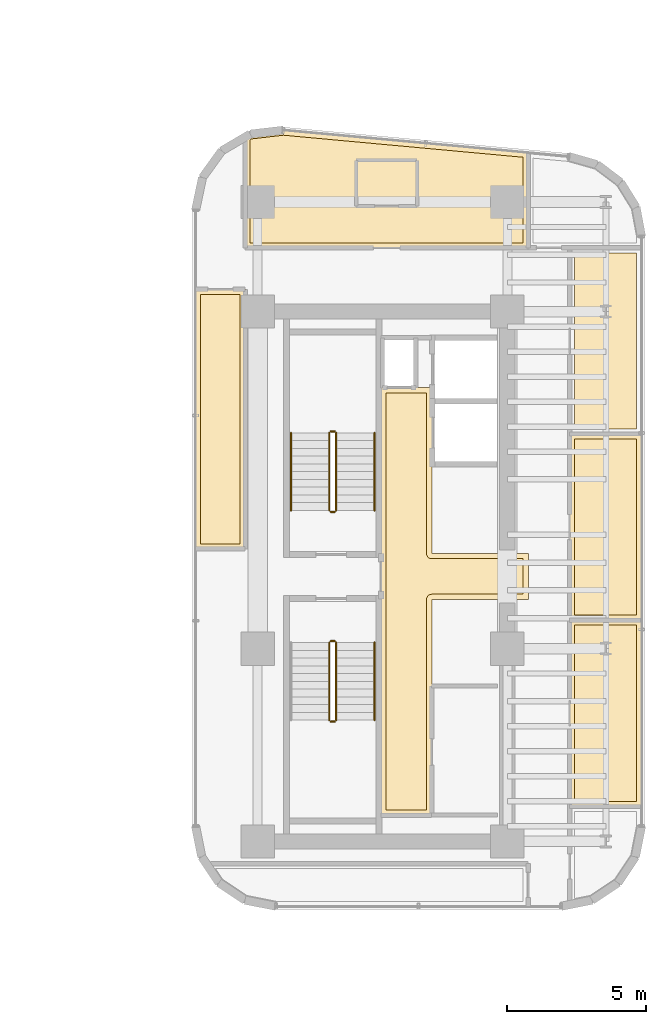
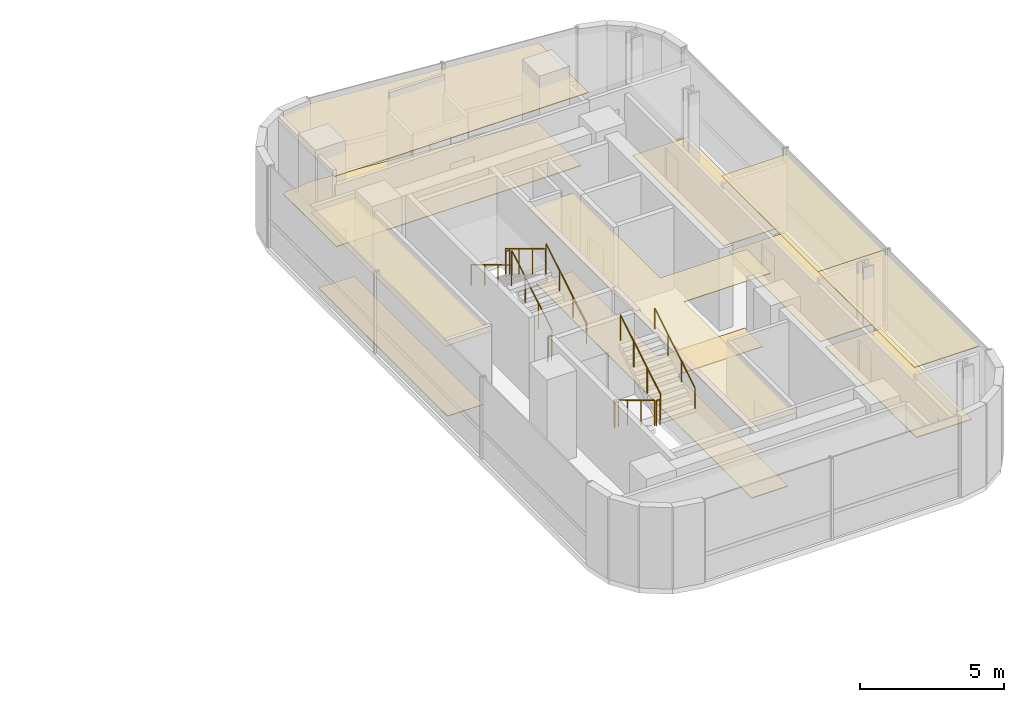
# One storey, part 32 of 33: 11 coverings, 11 railings.
"""IFC4 building model written with IfcOpenShell, lengths in metres."""

from ifc_helpers import new_model, si_unit, direction, frame, origin, origin_2d, place, context, subcontext, project, spatial, polyline, circle, outline, extrude, material, layer, layer_set, type_object, element, save


model = new_model("IFC4")

# Units and contexts
model_context = context("Model", 3, precision=1e-05, world=origin(), true_north=direction((0.0, 1.0)))
body_context = subcontext(model_context, "Body", "Model", "MODEL_VIEW")
ifc_project = project(units=[si_unit("LENGTHUNIT", "METRE"), si_unit("AREAUNIT", "SQUARE_METRE"), si_unit("VOLUMEUNIT", "CUBIC_METRE"), si_unit("PLANEANGLEUNIT", "RADIAN"), si_unit("MASSUNIT", "GRAM", prefix="KILO")], contexts=[model_context])

# Site, building, storey
site_placement = place(None, origin())
site = spatial("IfcSite", under=ifc_project, at=site_placement, CompositionType="ELEMENT")
building_placement = place(site_placement, origin())
building = spatial("IfcBuilding", under=site, at=building_placement, Name="Valdorenza Pilgrim Sanctuary Tower", CompositionType="ELEMENT")
storey_placement = place(building_placement, frame((0.0, 0.0, 157.5)))
storey = spatial("IfcBuildingStorey", under=building, at=storey_placement, Name="L40", CompositionType="ELEMENT", Elevation=157.5)

# Coverings
ifc_material_1 = material(Name="Micro-perforated acoustic mineral ceiling tile", Category="gypsum")
ifc_layer_1 = layer(ifc_material_1, 0.02490234375, Name="Micro-perforated acoustic mineral ceiling tile")
ifc_layer_set_1 = layer_set([ifc_layer_1], Name="Micro-perforated acoustic mineral ceiling tile")
covering_type_1 = type_object("IfcCoveringType", Name="COV-CLG-ACU", PredefinedType="CEILING", material=ifc_layer_set_1)
covering_1_placement = place(storey_placement, frame((0.0, 0.0, 3.159912109375)))
element("IfcCovering", 1, at=covering_1_placement, inside=storey, type_object=covering_type_1, Name="L40 Core B Passenger Lift Lobby Acoustic Ceiling", PredefinedType="CEILING", context=body_context, shape_type="SweptSolid", body=[
    extrude(outline(polyline([(20.287109375, -0.814697265625), (20.287109375, 0.814697265625), (20.28662109375, 0.815185546875), (20.2861328125, 0.81640625), (20.28564453125, 0.81787109375), (20.285400390625, 0.819091796875), (20.28515625, 0.820556640625), (20.284912109375, 0.822021484375), (20.284912109375, 6.800048828125), (20.28515625, 6.801513671875), (20.285400390625, 6.802978515625), (20.28564453125, 6.804443359375), (20.2861328125, 6.8056640625), (20.286865234375, 6.80712890625), (20.28759765625, 6.808349609375), (20.288330078125, 6.8095703125), (20.289306640625, 6.810546875), (20.29052734375, 6.8115234375), (20.291748046875, 6.8125), (20.29296875, 6.813232421875), (20.294189453125, 6.81396484375), (20.295654296875, 6.814453125), (20.297119140625, 6.814697265625), (20.298583984375, 6.81494140625), (20.300048828125, 6.81494140625), (20.347900390625, 6.81494140625), (20.349365234375, 6.81494140625), (20.350830078125, 6.814697265625), (20.352294921875, 6.814453125), (20.353515625, 6.81396484375), (20.35498046875, 6.813232421875), (20.35546875, 6.81298828125), (21.544677734375, 6.81298828125), (21.545166015625, 6.813232421875), (21.54638671875, 6.81396484375), (21.5478515625, 6.814453125), (21.54931640625, 6.814697265625), (21.550537109375, 6.81494140625), (21.552001953125, 6.81494140625), (22.1201171875, 6.81494140625), (22.12158203125, 6.81494140625), (22.122802734375, 6.814697265625), (22.12451171875, 6.814453125), (22.125732421875, 6.81396484375), (22.127197265625, 6.813232421875), (22.12841796875, 6.8125), (22.12939453125, 6.8115234375), (22.130615234375, 6.810546875), (22.131591796875, 6.8095703125), (22.132568359375, 6.808349609375), (22.13330078125, 6.80712890625), (22.1337890625, 6.8056640625), (22.134521484375, 6.804443359375), (22.134765625, 6.802978515625), (22.135009765625, 6.801513671875), (22.135009765625, 6.800048828125), (22.135009765625, 0.8349609375), (25.60009765625, 0.8349609375), (25.6015625, 0.8349609375), (25.602783203125, 0.834716796875), (25.6044921875, 0.83447265625), (25.605712890625, 0.833984375), (25.607177734375, 0.833251953125), (25.6083984375, 0.83251953125), (25.609619140625, 0.83154296875), (25.610595703125, 0.83056640625), (25.611572265625, 0.82958984375), (25.612548828125, 0.828369140625), (25.61328125, 0.8271484375), (25.614013671875, 0.82568359375), (25.614501953125, 0.824462890625), (25.61474609375, 0.822998046875), (25.614990234375, 0.821533203125), (25.614990234375, 0.820068359375), (25.614990234375, -0.820068359375), (25.614990234375, -0.821533203125), (25.61474609375, -0.822998046875), (25.614501953125, -0.824462890625), (25.614013671875, -0.82568359375), (25.61328125, -0.8271484375), (25.612548828125, -0.828369140625), (25.611572265625, -0.82958984375), (25.610595703125, -0.83056640625), (25.609619140625, -0.83154296875), (25.6083984375, -0.83251953125), (25.607177734375, -0.833251953125), (25.605712890625, -0.833984375), (25.6044921875, -0.83447265625), (25.602783203125, -0.834716796875), (25.6015625, -0.8349609375), (25.60009765625, -0.8349609375), (22.135009765625, -0.8349609375), (22.135009765625, -8.60009765625), (22.135009765625, -8.6015625), (22.134765625, -8.602783203125), (22.134521484375, -8.6044921875), (22.1337890625, -8.605712890625), (22.13330078125, -8.607177734375), (22.132568359375, -8.6083984375), (22.131591796875, -8.609619140625), (22.130615234375, -8.610595703125), (22.12939453125, -8.611572265625), (22.12841796875, -8.612548828125), (22.127197265625, -8.61328125), (22.125732421875, -8.614013671875), (22.12451171875, -8.614501953125), (22.122802734375, -8.61474609375), (22.12158203125, -8.614990234375), (22.1201171875, -8.614990234375), (20.300048828125, -8.614990234375), (20.298583984375, -8.614990234375), (20.297119140625, -8.61474609375), (20.295654296875, -8.614501953125), (20.294189453125, -8.614013671875), (20.29296875, -8.61328125), (20.291748046875, -8.612548828125), (20.29052734375, -8.611572265625), (20.289306640625, -8.610595703125), (20.288330078125, -8.609619140625), (20.28759765625, -8.6083984375), (20.286865234375, -8.607177734375), (20.2861328125, -8.605712890625), (20.28564453125, -8.6044921875), (20.285400390625, -8.602783203125), (20.28515625, -8.6015625), (20.284912109375, -8.60009765625), (20.284912109375, -0.822021484375), (20.28515625, -0.820556640625), (20.285400390625, -0.819091796875), (20.28564453125, -0.81787109375), (20.2861328125, -0.81640625), (20.28662109375, -0.815185546875), (20.287109375, -0.814697265625)])), origin(), (0.0, 0.0, 1.0), 0.025146484375),
])
covering_2_placement = place(storey_placement, frame((0.0, 0.0, 3.159912109375)))
element("IfcCovering", 2, at=covering_2_placement, inside=storey, type_object=covering_type_1, Name="L40 East North Guest Room L40-EN1 Acoustic Ceiling", PredefinedType="CEILING", context=body_context, shape_type="SweptSolid", body=[
    extrude(outline(polyline([(15.573486328125, 15.961669921875), (15.574951171875, 15.96240234375), (15.576416015625, 15.962890625), (15.577880859375, 15.96337890625), (15.579345703125, 15.963623046875), (16.7744140625, 16.102783203125), (16.776123046875, 16.10302734375), (16.7763671875, 16.10302734375), (16.777587890625, 16.102783203125), (25.601318359375, 15.291015625), (25.602783203125, 15.290771484375), (25.604248046875, 15.290283203125), (25.605712890625, 15.289794921875), (25.60693359375, 15.289306640625), (25.6083984375, 15.28857421875), (25.609619140625, 15.28759765625), (25.610595703125, 15.28662109375), (25.611572265625, 15.28564453125), (25.612548828125, 15.284423828125), (25.61328125, 15.283203125), (25.61376953125, 15.28173828125), (25.6142578125, 15.280517578125), (25.61474609375, 15.279052734375), (25.614990234375, 15.277587890625), (25.614990234375, 15.276123046875), (25.614990234375, 11.85009765625), (25.614990234375, 11.848388671875), (25.61474609375, 11.84716796875), (25.614501953125, 11.845703125), (25.614013671875, 11.84423828125), (25.61328125, 11.843017578125), (25.612548828125, 11.841796875), (25.611572265625, 11.840576171875), (25.610595703125, 11.83935546875), (25.609619140625, 11.83837890625), (25.6083984375, 11.83740234375), (25.607177734375, 11.8369140625), (25.605712890625, 11.836181640625), (25.6044921875, 11.835693359375), (25.602783203125, 11.835205078125), (25.6015625, 11.835205078125), (25.60009765625, 11.8349609375), (15.39990234375, 11.8349609375), (15.3984375, 11.835205078125), (15.397216796875, 11.835205078125), (15.3955078125, 11.835693359375), (15.394287109375, 11.836181640625), (15.392822265625, 11.8369140625), (15.3916015625, 11.83740234375), (15.390380859375, 11.83837890625), (15.389404296875, 11.83935546875), (15.388427734375, 11.840576171875), (15.387451171875, 11.841796875), (15.38671875, 11.843017578125), (15.385986328125, 11.84423828125), (15.385498046875, 11.845703125), (15.38525390625, 11.84716796875), (15.385009765625, 11.848388671875), (15.385009765625, 11.85009765625), (15.385009765625, 15.84228515625), (15.385009765625, 15.843505859375), (15.38525390625, 15.844970703125), (15.385498046875, 15.846435546875), (15.385986328125, 15.84765625), (15.38671875, 15.84912109375), (15.38720703125, 15.850341796875), (15.38818359375, 15.851318359375), (15.38916015625, 15.8525390625), (15.39013671875, 15.853515625), (15.39111328125, 15.8544921875), (15.392333984375, 15.85498046875), (15.573486328125, 15.961669921875)])), origin(), (0.0, 0.0, 1.0), 0.025146484375),
])
covering_3_placement = place(storey_placement, frame((0.0, 0.0, 3.159912109375)))
element("IfcCovering", 3, at=covering_3_placement, inside=storey, type_object=covering_type_1, Name="L40 East Sanctuary Scholar Office L40-EG2 Acoustic Ceiling", PredefinedType="CEILING", context=body_context, shape_type="SweptSolid", body=[
    extrude(outline(polyline([(27.0849609375, -1.574951171875), (27.085205078125, -1.573486328125), (27.085205078125, -1.572021484375), (27.085693359375, -1.570556640625), (27.086181640625, -1.5693359375), (27.0869140625, -1.56787109375), (27.08740234375, -1.566650390625), (27.08837890625, -1.5654296875), (27.08935546875, -1.564453125), (27.090576171875, -1.5634765625), (27.091796875, -1.5625), (27.093017578125, -1.561767578125), (27.09423828125, -1.56103515625), (27.095703125, -1.560546875), (27.09716796875, -1.560302734375), (27.098388671875, -1.56005859375), (27.10009765625, -1.56005859375), (29.68994140625, -1.56005859375), (29.69140625, -1.56005859375), (29.69287109375, -1.560302734375), (29.6943359375, -1.560546875), (29.69580078125, -1.56103515625), (29.697021484375, -1.561767578125), (29.6982421875, -1.5625), (29.699462890625, -1.5634765625), (29.70068359375, -1.564453125), (29.70166015625, -1.5654296875), (29.702392578125, -1.566650390625), (29.703125, -1.56787109375), (29.703857421875, -1.5693359375), (29.704345703125, -1.570556640625), (29.70458984375, -1.572021484375), (29.704833984375, -1.573486328125), (29.705078125, -1.574951171875), (29.705078125, -8.284912109375), (29.704833984375, -8.28662109375), (29.70458984375, -8.287841796875), (29.704345703125, -8.289306640625), (29.703857421875, -8.290771484375), (29.703125, -8.2919921875), (29.702392578125, -8.293212890625), (29.70166015625, -8.29443359375), (29.70068359375, -8.295654296875), (29.699462890625, -8.296630859375), (29.6982421875, -8.297607421875), (29.697021484375, -8.298095703125), (29.69580078125, -8.298828125), (29.6943359375, -8.29931640625), (29.69287109375, -8.2998046875), (29.69140625, -8.2998046875), (29.68994140625, -8.300048828125), (27.10009765625, -8.300048828125), (27.098388671875, -8.2998046875), (27.09716796875, -8.2998046875), (27.095703125, -8.29931640625), (27.09423828125, -8.298828125), (27.093017578125, -8.298095703125), (27.091796875, -8.297607421875), (27.090576171875, -8.296630859375), (27.08935546875, -8.295654296875), (27.08837890625, -8.29443359375), (27.08740234375, -8.293212890625), (27.0869140625, -8.2919921875), (27.086181640625, -8.290771484375), (27.085693359375, -8.289306640625), (27.085205078125, -8.287841796875), (27.085205078125, -8.28662109375), (27.0849609375, -8.284912109375), (27.0849609375, -1.574951171875)])), origin(), (0.0, 0.0, 1.0), 0.025146484375),
])
covering_4_placement = place(storey_placement, frame((0.0, 0.0, 3.159912109375)))
element("IfcCovering", 4, at=covering_4_placement, inside=storey, type_object=covering_type_1, Name="L40 East Sanctuary Scholar Office L40-EG3 Acoustic Ceiling", PredefinedType="CEILING", context=body_context, shape_type="SweptSolid", body=[
    extrude(outline(polyline([(27.0849609375, 5.137939453125), (27.085205078125, 5.139404296875), (27.085205078125, 5.140869140625), (27.085693359375, 5.142333984375), (27.086181640625, 5.143798828125), (27.0869140625, 5.14501953125), (27.08740234375, 5.146240234375), (27.08837890625, 5.1474609375), (27.08935546875, 5.148681640625), (27.090576171875, 5.149658203125), (27.091796875, 5.150390625), (27.093017578125, 5.151123046875), (27.09423828125, 5.15185546875), (27.095703125, 5.15234375), (27.09716796875, 5.152587890625), (27.098388671875, 5.15283203125), (27.10009765625, 5.153076171875), (29.68994140625, 5.153076171875), (29.69140625, 5.15283203125), (29.69287109375, 5.152587890625), (29.6943359375, 5.15234375), (29.69580078125, 5.15185546875), (29.697021484375, 5.151123046875), (29.6982421875, 5.150390625), (29.699462890625, 5.149658203125), (29.70068359375, 5.148681640625), (29.70166015625, 5.1474609375), (29.702392578125, 5.146240234375), (29.703125, 5.14501953125), (29.703857421875, 5.143798828125), (29.704345703125, 5.142333984375), (29.70458984375, 5.140869140625), (29.704833984375, 5.139404296875), (29.705078125, 5.137939453125), (29.705078125, -1.572998046875), (29.704833984375, -1.574462890625), (29.70458984375, -1.575927734375), (29.704345703125, -1.577392578125), (29.703857421875, -1.57861328125), (29.703125, -1.580078125), (29.702392578125, -1.581298828125), (29.70166015625, -1.58251953125), (29.70068359375, -1.58349609375), (29.699462890625, -1.584716796875), (29.6982421875, -1.58544921875), (29.697021484375, -1.586181640625), (29.69580078125, -1.5869140625), (29.6943359375, -1.58740234375), (29.69287109375, -1.587646484375), (29.69140625, -1.587890625), (29.68994140625, -1.587890625), (27.10009765625, -1.587890625), (27.098388671875, -1.587890625), (27.09716796875, -1.587646484375), (27.095703125, -1.58740234375), (27.09423828125, -1.5869140625), (27.093017578125, -1.586181640625), (27.091796875, -1.58544921875), (27.090576171875, -1.584716796875), (27.08935546875, -1.58349609375), (27.08837890625, -1.58251953125), (27.08740234375, -1.581298828125), (27.0869140625, -1.580078125), (27.086181640625, -1.57861328125), (27.085693359375, -1.577392578125), (27.085205078125, -1.575927734375), (27.085205078125, -1.574462890625), (27.0849609375, -1.572998046875), (27.0849609375, 5.137939453125)])), origin(), (0.0, 0.0, 1.0), 0.025146484375),
])
covering_5_placement = place(storey_placement, frame((0.0, 0.0, 3.159912109375)))
element("IfcCovering", 5, at=covering_5_placement, inside=storey, type_object=covering_type_1, Name="L40 Courtyard Overlook Salon L40 Acoustic Ceiling", PredefinedType="CEILING", context=body_context, shape_type="SweptSolid", body=[
    extrude(outline(polyline([(15.4150390625, 1.0), (15.414794921875, 0.99853515625), (15.414794921875, 0.9970703125), (15.414306640625, 0.99560546875), (15.413818359375, 0.994384765625), (15.4130859375, 0.992919921875), (15.41259765625, 0.99169921875), (15.41162109375, 0.990478515625), (15.41064453125, 0.989501953125), (15.409423828125, 0.98828125), (15.408203125, 0.987548828125), (15.406982421875, 0.98681640625), (15.40576171875, 0.986083984375), (15.404296875, 0.985595703125), (15.40283203125, 0.9853515625), (15.401611328125, 0.985107421875), (15.39990234375, 0.985107421875), (13.610107421875, 0.985107421875), (13.6083984375, 0.985107421875), (13.607177734375, 0.9853515625), (13.605712890625, 0.985595703125), (13.604248046875, 0.986083984375), (13.602783203125, 0.98681640625), (13.601806640625, 0.987548828125), (13.6005859375, 0.98828125), (13.599365234375, 0.989501953125), (13.598388671875, 0.990478515625), (13.597412109375, 0.99169921875), (13.5966796875, 0.992919921875), (13.59619140625, 0.994384765625), (13.595703125, 0.99560546875), (13.59521484375, 0.9970703125), (13.59521484375, 0.99853515625), (13.594970703125, 1.0), (13.594970703125, 10.35009765625), (13.59521484375, 10.3515625), (13.59521484375, 10.352783203125), (13.595703125, 10.3544921875), (13.59619140625, 10.355712890625), (13.5966796875, 10.357177734375), (13.597412109375, 10.3583984375), (13.598388671875, 10.359619140625), (13.599365234375, 10.360595703125), (13.6005859375, 10.361572265625), (13.601806640625, 10.362548828125), (13.602783203125, 10.36328125), (13.604248046875, 10.364013671875), (13.605712890625, 10.364501953125), (13.607177734375, 10.36474609375), (13.6083984375, 10.364990234375), (13.610107421875, 10.364990234375), (15.39990234375, 10.364990234375), (15.401611328125, 10.364990234375), (15.40283203125, 10.36474609375), (15.404296875, 10.364501953125), (15.40576171875, 10.364013671875), (15.406982421875, 10.36328125), (15.408203125, 10.362548828125), (15.409423828125, 10.361572265625), (15.41064453125, 10.360595703125), (15.41162109375, 10.359619140625), (15.41259765625, 10.3583984375), (15.4130859375, 10.357177734375), (15.413818359375, 10.355712890625), (15.414306640625, 10.3544921875), (15.414794921875, 10.352783203125), (15.414794921875, 10.3515625), (15.4150390625, 10.35009765625), (15.4150390625, 1.0)])), origin(), (0.0, 0.0, 1.0), 0.025146484375),
])
ifc_material_2 = material(Name="Engineered European oak timber flooring", Category="wood")
ifc_layer_2 = layer(ifc_material_2, 0.02197265625, Name="Engineered European oak timber flooring")
ifc_layer_set_2 = layer_set([ifc_layer_2], Name="Engineered European oak timber flooring")
covering_type_2 = type_object("IfcCoveringType", Name="COV-FLR-OAK", PredefinedType="FLOORING", material=ifc_layer_set_2)
covering_6_placement = place(storey_placement, origin())
element("IfcCovering", 6, at=covering_6_placement, inside=storey, type_object=covering_type_2, Name="L40 East North Guest Room L40-EN1 Flooring", PredefinedType="FLOORING", context=body_context, shape_type="SweptSolid", body=[
    extrude(outline(polyline([(15.6396484375, 15.7744140625), (16.7783203125, 15.906982421875), (25.419921875, 15.11181640625), (25.419921875, 12.030029296875), (15.580078125, 12.030029296875), (15.580078125, 15.7392578125), (15.6396484375, 15.7744140625)])), origin(), (0.0, 0.0, 1.0), 0.02490234375),
])
ifc_material_3 = material(Name="Honed travertine stone flooring", Category="masonry")
ifc_layer_3 = layer(ifc_material_3, 0.030029296875, Name="Honed travertine stone flooring")
ifc_layer_set_3 = layer_set([ifc_layer_3], Name="Honed travertine stone flooring")
covering_type_3 = type_object("IfcCoveringType", Name="COV-FLR-TRV", PredefinedType="FLOORING", material=ifc_layer_set_3)
covering_7_placement = place(storey_placement, origin())
element("IfcCovering", 7, at=covering_7_placement, inside=storey, type_object=covering_type_3, Name="L40 Core B Passenger Lift Lobby Flooring", PredefinedType="FLOORING", context=body_context, shape_type="SweptSolid", body=[
    extrude(outline(polyline([(20.47998046875, 6.617919921875), (21.550048828125, 6.617919921875), (21.550537109375, 6.617919921875), (21.93994140625, 6.619384765625), (21.93994140625, 0.820068359375), (21.94091796875, 0.802490234375), (21.943603515625, 0.784912109375), (21.94775390625, 0.767578125), (21.95361328125, 0.751220703125), (21.961181640625, 0.735107421875), (21.97021484375, 0.719970703125), (21.98095703125, 0.705810546875), (21.99267578125, 0.692626953125), (22.005859375, 0.680908203125), (22.02001953125, 0.67041015625), (22.03515625, 0.661376953125), (22.051025390625, 0.65380859375), (22.067626953125, 0.647705078125), (22.0849609375, 0.6435546875), (22.102294921875, 0.640869140625), (22.1201171875, 0.639892578125), (25.419921875, 0.639892578125), (25.419921875, -0.639892578125), (22.1201171875, -0.639892578125), (22.102294921875, -0.640869140625), (22.0849609375, -0.6435546875), (22.067626953125, -0.647705078125), (22.051025390625, -0.65380859375), (22.03515625, -0.661376953125), (22.02001953125, -0.67041015625), (22.005859375, -0.680908203125), (21.99267578125, -0.692626953125), (21.98095703125, -0.705810546875), (21.97021484375, -0.719970703125), (21.961181640625, -0.735107421875), (21.95361328125, -0.751220703125), (21.94775390625, -0.767578125), (21.943603515625, -0.784912109375), (21.94091796875, -0.802490234375), (21.93994140625, -0.820068359375), (21.93994140625, -8.419921875), (20.47998046875, -8.419921875), (20.47998046875, -0.846923828125), (20.47998046875, -0.8466796875), (20.47998046875, -0.8466796875), (20.481689453125, -0.8291015625), (20.481689453125, -0.828857421875), (20.48193359375, -0.820068359375), (20.48193359375, 0.820068359375), (20.47998046875, 6.617919921875)])), origin(), (0.0, 0.0, 1.0), 0.02490234375),
])
covering_8_placement = place(storey_placement, origin())
element("IfcCovering", 8, at=covering_8_placement, inside=storey, type_object=covering_type_3, Name="L40 East Sanctuary Scholar Office L40-EG2 Flooring", PredefinedType="FLOORING", context=body_context, shape_type="SweptSolid", body=[
    extrude(outline(polyline([(27.280029296875, -1.7548828125), (29.510009765625, -1.7548828125), (29.510009765625, -8.10498046875), (27.280029296875, -8.10498046875), (27.280029296875, -1.7548828125)])), origin(), (0.0, 0.0, 1.0), 0.02490234375),
])
covering_9_placement = place(storey_placement, origin())
element("IfcCovering", 9, at=covering_9_placement, inside=storey, type_object=covering_type_3, Name="L40 East Sanctuary Scholar Office L40-EG3 Flooring", PredefinedType="FLOORING", context=body_context, shape_type="SweptSolid", body=[
    extrude(outline(polyline([(27.280029296875, 4.9580078125), (29.510009765625, 4.9580078125), (29.510009765625, -1.39306640625), (27.280029296875, -1.39306640625), (27.280029296875, 4.9580078125)])), origin(), (0.0, 0.0, 1.0), 0.02490234375),
])
covering_10_placement = place(storey_placement, origin())
element("IfcCovering", 10, at=covering_10_placement, inside=storey, type_object=covering_type_3, Name="L40 East Sanctuary Scholar Office L40-EG4 Flooring", PredefinedType="FLOORING", context=body_context, shape_type="SweptSolid", body=[
    extrude(outline(polyline([(27.280029296875, 11.66796875), (29.510009765625, 11.66796875), (29.510009765625, 5.320068359375), (27.280029296875, 5.320068359375), (27.280029296875, 11.66796875)])), origin(), (0.0, 0.0, 1.0), 0.02490234375),
])
covering_11_placement = place(storey_placement, origin())
element("IfcCovering", 11, at=covering_11_placement, inside=storey, type_object=covering_type_3, Name="L40 Courtyard Overlook Salon L40 Flooring", PredefinedType="FLOORING", context=body_context, shape_type="SweptSolid", body=[
    extrude(outline(polyline([(15.219970703125, 1.179931640625), (13.7900390625, 1.179931640625), (13.7900390625, 10.169921875), (15.219970703125, 10.169921875), (15.219970703125, 1.179931640625)])), origin(), (0.0, 0.0, 1.0), 0.02490234375),
])

# Railings
ifc_material_4 = material(Name="Stainless steel Grade 316", Category="steel")
railing_type_1 = type_object("IfcRailingType", Name="RLG-GRD-1120", PredefinedType="GUARDRAIL", material=ifc_material_4)
railing_1_placement = place(storey_placement, frame((18.679931640625, 2.3798828125, 0.168212890625)))
element("IfcRailing", 12, at=railing_1_placement, inside=storey, type_object=railing_type_1, Name="L40 ST-B1 stair guard 1", PredefinedType="GUARDRAIL", context=body_context, shape_type="SweptSolid", body=[
    extrude(circle(Radius=0.02392578125, at=origin_2d()), frame((0.0, 0.0, 1.076171875), z_axis=(0.0, 0.857242210791, 0.514913383045), x_axis=(-1.0, 0.0, 0.0)), (0.0, 0.0, 1.0), 3.266357421875),
    extrude(circle(Radius=0.02099609375, at=origin_2d()), origin(), (0.0, 0.0, 1.0), 1.052001953125),
    extrude(circle(Radius=0.02099609375, at=origin_2d()), frame((0.0, 0.933349609375, 0.560546875)), (0.0, 0.0, 1.0), 1.052001953125),
    extrude(circle(Radius=0.02099609375, at=origin_2d()), frame((0.0, 1.86669921875, 1.121337890625)), (0.0, 0.0, 1.0), 1.052001953125),
    extrude(circle(Radius=0.02099609375, at=origin_2d()), frame((0.0, 2.800048828125, 1.681884765625)), (0.0, 0.0, 1.0), 1.052001953125),
])
railing_2_placement = place(storey_placement, frame((18.6298828125, 5.22998046875, 1.85009765625)))
element("IfcRailing", 13, at=railing_2_placement, inside=storey, type_object=railing_type_1, Name="L40 ST-B1 stair guard 2", PredefinedType="GUARDRAIL", context=body_context, shape_type="SweptSolid", body=[
    extrude(circle(Radius=0.02392578125, at=origin_2d()), frame((0.0, 0.0, 1.076171875), z_axis=(-1.0, 0.0, 0.0), x_axis=(0.0, -1.0, 0.0)), (0.0, 0.0, 1.0), 0.14990234375),
    extrude(circle(Radius=0.02099609375, at=origin_2d()), origin(), (0.0, 0.0, 1.0), 1.052001953125),
    extrude(circle(Radius=0.02099609375, at=origin_2d()), frame((-0.14990234375, 0.0, 0.0)), (0.0, 0.0, 1.0), 1.052001953125),
])
railing_3_placement = place(storey_placement, frame((18.429931640625, 5.179931640625, 2.01806640625)))
element("IfcRailing", 14, at=railing_3_placement, inside=storey, type_object=railing_type_1, Name="L40 ST-B1 stair guard 3", PredefinedType="GUARDRAIL", context=body_context, shape_type="SweptSolid", body=[
    extrude(circle(Radius=0.02392578125, at=origin_2d()), frame((0.0, 0.0, 1.076171875), z_axis=(0.0, -0.857242210791, 0.514913383045), x_axis=(1.0, 0.0, 0.0)), (0.0, 0.0, 1.0), 3.266357421875),
    extrude(circle(Radius=0.02099609375, at=origin_2d()), origin(), (0.0, 0.0, 1.0), 1.052001953125),
    extrude(circle(Radius=0.02099609375, at=origin_2d()), frame((0.0, -0.933349609375, 0.560546875)), (0.0, 0.0, 1.0), 1.052001953125),
    extrude(circle(Radius=0.02099609375, at=origin_2d()), frame((0.0, -1.86669921875, 1.121337890625)), (0.0, 0.0, 1.0), 1.052001953125),
    extrude(circle(Radius=0.02099609375, at=origin_2d()), frame((0.0, -2.800048828125, 1.681884765625)), (0.0, 0.0, 1.0), 1.052001953125),
])
railing_4_placement = place(storey_placement, frame((18.6298828125, 2.330078125, 0.0)))
element("IfcRailing", 15, at=railing_4_placement, inside=storey, type_object=railing_type_1, Name="L40 ST-B1 stair guard 4", PredefinedType="GUARDRAIL", context=body_context, shape_type="SweptSolid", body=[
    extrude(circle(Radius=0.02392578125, at=origin_2d()), frame((0.0, 0.0, 1.076171875), z_axis=(-1.0, 0.0, 0.0), x_axis=(0.0, -1.0, 0.0)), (0.0, 0.0, 1.0), 0.14990234375),
    extrude(circle(Radius=0.02099609375, at=origin_2d()), origin(), (0.0, 0.0, 1.0), 1.052001953125),
    extrude(circle(Radius=0.02099609375, at=origin_2d()), frame((-0.14990234375, 0.0, 0.0)), (0.0, 0.0, 1.0), 1.052001953125),
])
railing_5_placement = place(storey_placement, frame((18.429931640625, -2.3798828125, 0.168212890625)))
element("IfcRailing", 16, at=railing_5_placement, inside=storey, type_object=railing_type_1, Name="L40 ST-B2 stair guard 1", PredefinedType="GUARDRAIL", context=body_context, shape_type="SweptSolid", body=[
    extrude(circle(Radius=0.02392578125, at=origin_2d()), frame((0.0, 0.0, 1.076171875), z_axis=(0.0, -0.857242210791, 0.514913383045), x_axis=(1.0, 0.0, 0.0)), (0.0, 0.0, 1.0), 3.266357421875),
    extrude(circle(Radius=0.02099609375, at=origin_2d()), origin(), (0.0, 0.0, 1.0), 1.052001953125),
    extrude(circle(Radius=0.02099609375, at=origin_2d()), frame((0.0, -0.933349609375, 0.560546875)), (0.0, 0.0, 1.0), 1.052001953125),
    extrude(circle(Radius=0.02099609375, at=origin_2d()), frame((0.0, -1.86669921875, 1.121337890625)), (0.0, 0.0, 1.0), 1.052001953125),
    extrude(circle(Radius=0.02099609375, at=origin_2d()), frame((0.0, -2.800048828125, 1.681884765625)), (0.0, 0.0, 1.0), 1.052001953125),
])
railing_6_placement = place(storey_placement, frame((18.47998046875, -5.22998046875, 1.85009765625)))
element("IfcRailing", 17, at=railing_6_placement, inside=storey, type_object=railing_type_1, Name="L40 ST-B2 stair guard 2", PredefinedType="GUARDRAIL", context=body_context, shape_type="SweptSolid", body=[
    extrude(circle(Radius=0.02392578125, at=origin_2d()), frame((0.0, 0.0, 1.076171875), z_axis=(1.0, 0.0, 0.0), x_axis=(0.0, 1.0, 0.0)), (0.0, 0.0, 1.0), 0.14990234375),
    extrude(circle(Radius=0.02099609375, at=origin_2d()), origin(), (0.0, 0.0, 1.0), 1.052001953125),
    extrude(circle(Radius=0.02099609375, at=origin_2d()), frame((0.14990234375, 0.0, 0.0)), (0.0, 0.0, 1.0), 1.052001953125),
])
railing_7_placement = place(storey_placement, frame((18.679931640625, -5.179931640625, 2.01806640625)))
element("IfcRailing", 18, at=railing_7_placement, inside=storey, type_object=railing_type_1, Name="L40 ST-B2 stair guard 3", PredefinedType="GUARDRAIL", context=body_context, shape_type="SweptSolid", body=[
    extrude(circle(Radius=0.02392578125, at=origin_2d()), frame((0.0, 0.0, 1.076171875), z_axis=(0.0, 0.857242210791, 0.514913383045), x_axis=(-1.0, 0.0, 0.0)), (0.0, 0.0, 1.0), 3.266357421875),
    extrude(circle(Radius=0.02099609375, at=origin_2d()), origin(), (0.0, 0.0, 1.0), 1.052001953125),
    extrude(circle(Radius=0.02099609375, at=origin_2d()), frame((0.0, 0.933349609375, 0.560546875)), (0.0, 0.0, 1.0), 1.052001953125),
    extrude(circle(Radius=0.02099609375, at=origin_2d()), frame((0.0, 1.86669921875, 1.121337890625)), (0.0, 0.0, 1.0), 1.052001953125),
    extrude(circle(Radius=0.02099609375, at=origin_2d()), frame((0.0, 2.800048828125, 1.681884765625)), (0.0, 0.0, 1.0), 1.052001953125),
])
railing_8_placement = place(storey_placement, frame((18.47998046875, -2.330078125, 0.0)))
element("IfcRailing", 19, at=railing_8_placement, inside=storey, type_object=railing_type_1, Name="L40 ST-B2 stair guard 4", PredefinedType="GUARDRAIL", context=body_context, shape_type="SweptSolid", body=[
    extrude(circle(Radius=0.02392578125, at=origin_2d()), frame((0.0, 0.0, 1.076171875), z_axis=(1.0, 0.0, 0.0), x_axis=(0.0, 1.0, 0.0)), (0.0, 0.0, 1.0), 0.14990234375),
    extrude(circle(Radius=0.02099609375, at=origin_2d()), origin(), (0.0, 0.0, 1.0), 1.052001953125),
    extrude(circle(Radius=0.02099609375, at=origin_2d()), frame((0.14990234375, 0.0, 0.0)), (0.0, 0.0, 1.0), 1.052001953125),
])
ifc_material_5 = material(Name="Brushed stainless steel Grade 316", Category="steel")
railing_type_2 = type_object("IfcRailingType", Name="RLG-HND-920", PredefinedType="HANDRAIL", material=ifc_material_5)
railing_9_placement = place(storey_placement, frame((20.06005859375, 2.3798828125, 0.168212890625)))
element("IfcRailing", 20, at=railing_9_placement, inside=storey, type_object=railing_type_2, Name="L40 ST-B1 stair handrail 1", PredefinedType="HANDRAIL", context=body_context, shape_type="SweptSolid", body=[
    extrude(circle(Radius=0.02392578125, at=origin_2d()), frame((0.0, 0.0, 0.8759765625), z_axis=(0.0, 0.857242210791, 0.514913383045), x_axis=(-1.0, 0.0, 0.0)), (0.0, 0.0, 1.0), 3.266357421875),
    extrude(circle(Radius=0.02099609375, at=origin_2d()), origin(), (0.0, 0.0, 1.0), 0.851806640625),
    extrude(circle(Radius=0.02099609375, at=origin_2d()), frame((0.0, 0.933349609375, 0.560546875)), (0.0, 0.0, 1.0), 0.851806640625),
    extrude(circle(Radius=0.02099609375, at=origin_2d()), frame((0.0, 1.86669921875, 1.121337890625)), (0.0, 0.0, 1.0), 0.851806640625),
    extrude(circle(Radius=0.02099609375, at=origin_2d()), frame((0.0, 2.800048828125, 1.681884765625)), (0.0, 0.0, 1.0), 0.851806640625),
])
railing_10_placement = place(storey_placement, frame((17.050048828125, 5.179931640625, 2.01806640625)))
element("IfcRailing", 21, at=railing_10_placement, inside=storey, type_object=railing_type_2, Name="L40 ST-B1 stair handrail 2", PredefinedType="HANDRAIL", context=body_context, shape_type="SweptSolid", body=[
    extrude(circle(Radius=0.02392578125, at=origin_2d()), frame((0.0, 0.0, 0.8759765625), z_axis=(0.0, -0.857242210791, 0.514913383045), x_axis=(1.0, 0.0, 0.0)), (0.0, 0.0, 1.0), 3.266357421875),
    extrude(circle(Radius=0.02099609375, at=origin_2d()), origin(), (0.0, 0.0, 1.0), 0.851806640625),
    extrude(circle(Radius=0.02099609375, at=origin_2d()), frame((0.0, -0.933349609375, 0.560546875)), (0.0, 0.0, 1.0), 0.851806640625),
    extrude(circle(Radius=0.02099609375, at=origin_2d()), frame((0.0, -1.86669921875, 1.121337890625)), (0.0, 0.0, 1.0), 0.851806640625),
    extrude(circle(Radius=0.02099609375, at=origin_2d()), frame((0.0, -2.800048828125, 1.681884765625)), (0.0, 0.0, 1.0), 0.851806640625),
])
railing_11_placement = place(storey_placement, frame((20.06005859375, -5.179931640625, 2.01806640625)))
element("IfcRailing", 22, at=railing_11_placement, inside=storey, type_object=railing_type_2, Name="L40 ST-B2 stair handrail 2", PredefinedType="HANDRAIL", context=body_context, shape_type="SweptSolid", body=[
    extrude(circle(Radius=0.02392578125, at=origin_2d()), frame((0.0, 0.0, 0.8759765625), z_axis=(0.0, 0.857242210791, 0.514913383045), x_axis=(-1.0, 0.0, 0.0)), (0.0, 0.0, 1.0), 3.266357421875),
    extrude(circle(Radius=0.02099609375, at=origin_2d()), origin(), (0.0, 0.0, 1.0), 0.851806640625),
    extrude(circle(Radius=0.02099609375, at=origin_2d()), frame((0.0, 0.933349609375, 0.560546875)), (0.0, 0.0, 1.0), 0.851806640625),
    extrude(circle(Radius=0.02099609375, at=origin_2d()), frame((0.0, 1.86669921875, 1.121337890625)), (0.0, 0.0, 1.0), 0.851806640625),
    extrude(circle(Radius=0.02099609375, at=origin_2d()), frame((0.0, 2.800048828125, 1.681884765625)), (0.0, 0.0, 1.0), 0.851806640625),
])

save(model, "model.ifc")
